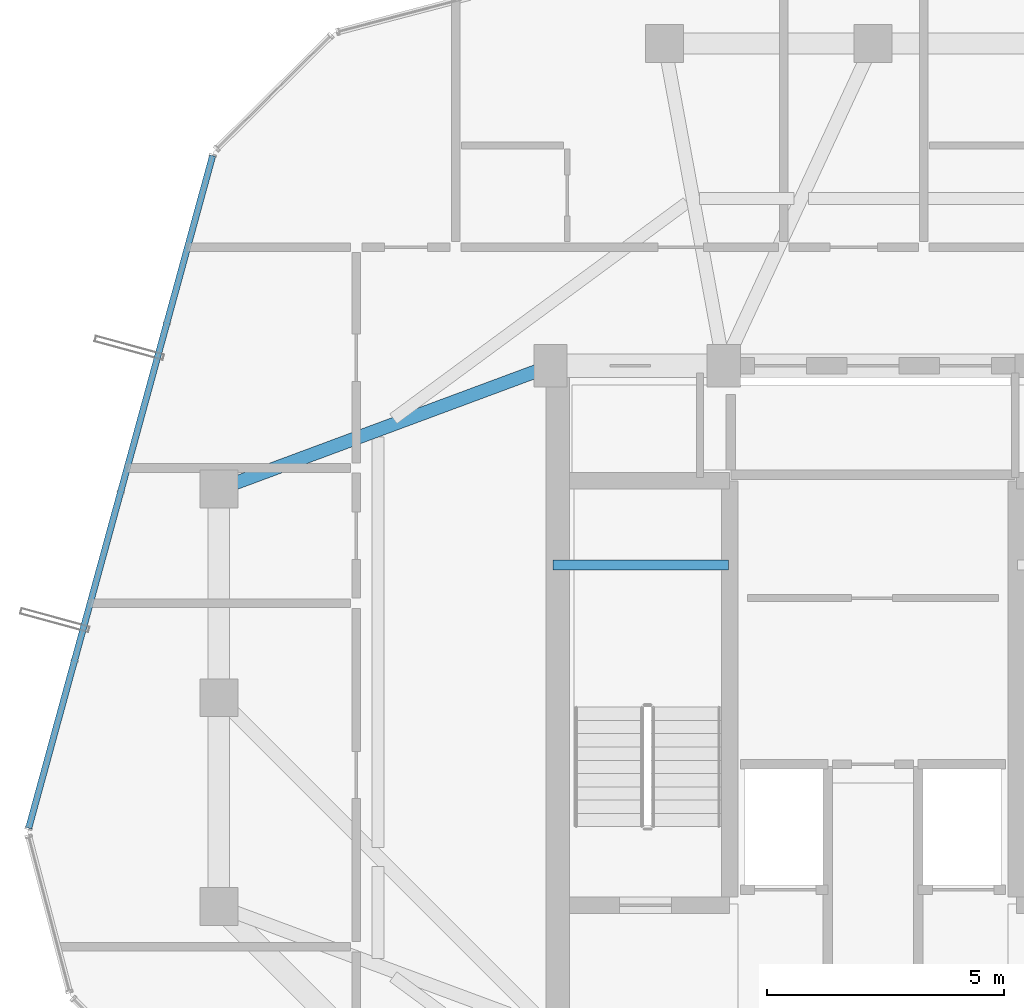
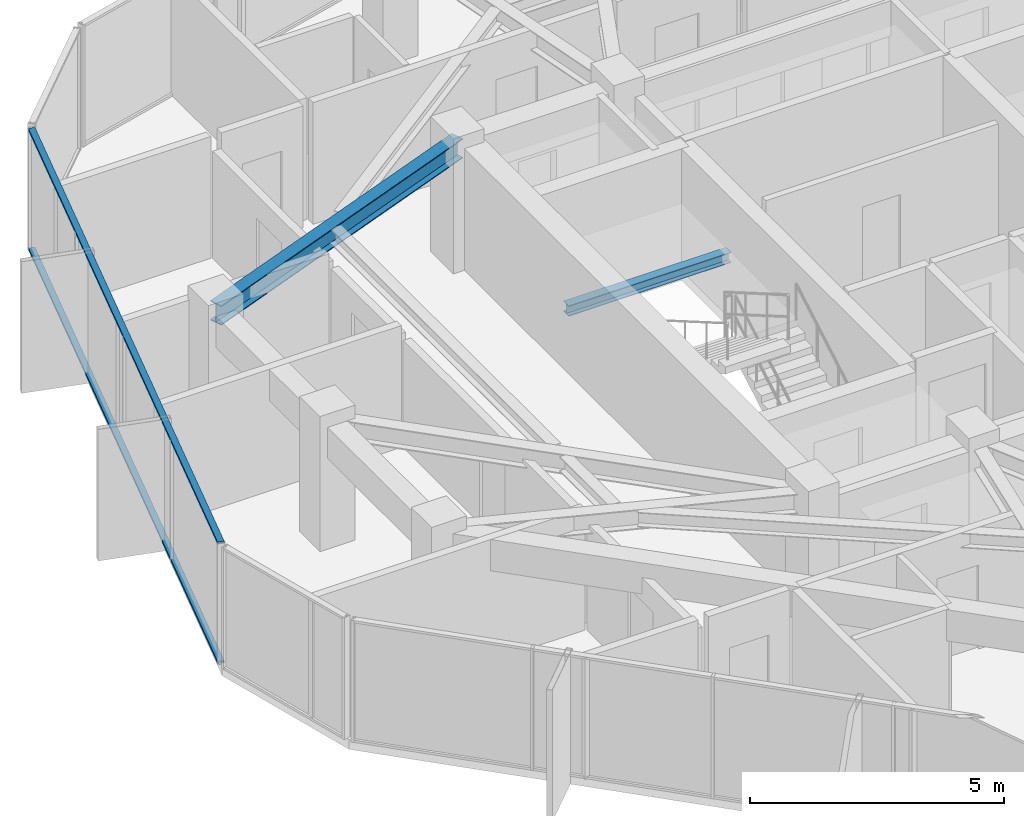
# One storey, part 13 of 29: 2 beams, 2 members, 1 element without a shape of its own.
"""IFC4 building model written with IfcOpenShell, lengths in metres."""

import ifcopenshell
import ifcopenshell.guid

model = None  # the IFC model being written
_history = None  # IfcOwnerHistory: only IFC2X3 demands one
_inside = {}  # id of a spatial element -> (the spatial element, [elements in it])
_under = {}  # id of a project, library or spatial element -> (it, [spatial elements below it])
_declared = {}  # id of a project -> (the project, [libraries it declares])
_typed = {}  # id of a type object -> (the type object, [elements of that type])
_made_of = {}  # id of a material, layer set ... -> (it, [elements and type objects made of it])


def new_model(schema):
    """Start an empty IFC model of exactly this schema.

    Asked for "IFC4X3", IfcOpenShell would pick the latest addendum, in which some entities
    have other attributes; the version numbers below select the first issue.
    IFC2X3 requires an IfcOwnerHistory on every rooted entity: one is made here for all.
    """
    global model, _history
    if schema == "IFC4X3":
        model = ifcopenshell.file(schema_version=(4, 3, 0, 0))
    else:
        model = ifcopenshell.file(schema=schema)
    _inside.clear()
    _under.clear()
    _declared.clear()
    _typed.clear()
    _made_of.clear()
    _history = None
    if model.schema == "IFC2X3":
        org = make("IfcOrganization", Name="unknown")
        user = make(
            "IfcPersonAndOrganization",
            ThePerson=make("IfcPerson", FamilyName="unknown"),
            TheOrganization=org,
        )
        app = make(
            "IfcApplication",
            ApplicationDeveloper=org,
            Version="unknown",
            ApplicationFullName="unknown",
            ApplicationIdentifier="unknown",
        )
        _history = make(
            "IfcOwnerHistory",
            OwningUser=user,
            OwningApplication=app,
            ChangeAction="ADDED",
            CreationDate=0,
        )
    return model


def make(cls, **values):
    """One entity of the class cls with the attributes given. An attribute that is None is left unset."""
    return model.create_entity(
        cls, **{name: value for name, value in values.items() if value is not None}
    )


def rooted(cls, **values):
    """An entity with a GlobalId (a new one), such as an element, a storey or a relation."""
    return make(cls, GlobalId=ifcopenshell.guid.new(), OwnerHistory=_history, **values)


def si_unit(unit_type, name, prefix=None):
    """IfcSIUnit, for example si_unit("LENGTHUNIT", "METRE", prefix="MILLI")."""
    return make("IfcSIUnit", UnitType=unit_type, Prefix=prefix, Name=name)


def assignment(units):
    """IfcUnitAssignment: the units of a project."""
    return None if units is None else make("IfcUnitAssignment", Units=units)


def point(xyz):
    """IfcCartesianPoint."""
    return None if xyz is None else make("IfcCartesianPoint", Coordinates=xyz)


def direction(xyz):
    """IfcDirection."""
    return None if xyz is None else make("IfcDirection", DirectionRatios=xyz)


def frame(location, z_axis=None, x_axis=None):
    """IfcAxis2Placement3D, a coordinate frame: its origin and axes. An axis left out is left unset."""
    return make(
        "IfcAxis2Placement3D",
        Location=point(location),
        Axis=direction(z_axis),
        RefDirection=direction(x_axis),
    )


def frame_2d(location, x_axis=None):
    """IfcAxis2Placement2D, a coordinate frame in the plane: its origin and x axis."""
    return make(
        "IfcAxis2Placement2D", Location=point(location), RefDirection=direction(x_axis)
    )


def origin():
    """The frame at (0, 0, 0) with its axes left unset."""
    return frame((0.0, 0.0, 0.0))


def origin_2d():
    """The frame at (0, 0) in the plane with its x axis left unset."""
    return frame_2d((0.0, 0.0))


def place(relative_to, where):
    """IfcLocalPlacement: puts the frame where relative to a parent placement (None: the world)."""
    return make(
        "IfcLocalPlacement", PlacementRelTo=relative_to, RelativePlacement=where
    )


def context(
    kind, dimensions, precision=None, world=None, true_north=None, identifier=None
):
    """IfcGeometricRepresentationContext, for example the 3D "Model" context."""
    return make(
        "IfcGeometricRepresentationContext",
        ContextIdentifier=identifier,
        ContextType=kind,
        CoordinateSpaceDimension=dimensions,
        Precision=precision,
        WorldCoordinateSystem=world,
        TrueNorth=true_north,
    )


def subcontext(parent, identifier, kind, view, scale=None):
    """IfcGeometricRepresentationSubContext, for example "Body" below "Model"."""
    return make(
        "IfcGeometricRepresentationSubContext",
        ContextIdentifier=identifier,
        ContextType=kind,
        ParentContext=parent,
        TargetScale=scale,
        TargetView=view,
    )


def project(units=None, contexts=None):
    """IfcProject with its units and contexts."""
    return rooted(
        "IfcProject",
        Name="project",
        RepresentationContexts=contexts,
        UnitsInContext=assignment(units),
    )


def spatial(cls, under=None, at=None, **own):
    """A site, building, storey or space (cls), placed at a placement, below another one or the project."""
    s = rooted(cls, ObjectPlacement=at, **own)
    if under is not None:
        _under.setdefault(under.id(), (under, []))[1].append(s)
    return s


def profile(cls, at=None, kind="AREA", **sizes):
    """A parametric profile (cls). Its sizes go by their IFC names, for example OverallWidth=200.0."""
    return make(cls, ProfileType=kind, Position=at, **sizes)


def hollow_rectangle(**sizes):
    """IfcRectangleHollowProfileDef."""
    return profile("IfcRectangleHollowProfileDef", **sizes)


def i_section(**sizes):
    """IfcIShapeProfileDef."""
    return profile("IfcIShapeProfileDef", **sizes)


def extrude(swept, where, along, depth):
    """IfcExtrudedAreaSolid: the profile swept, set in the frame where, extruded along a direction by depth."""
    return make(
        "IfcExtrudedAreaSolid",
        SweptArea=swept,
        Position=where,
        ExtrudedDirection=direction(along),
        Depth=depth,
    )


def shape(context_of_items, identifier, shape_type, items):
    """IfcShapeRepresentation: the items that make up one representation, for example the "Body"."""
    return make(
        "IfcShapeRepresentation",
        ContextOfItems=context_of_items,
        RepresentationIdentifier=identifier,
        RepresentationType=shape_type,
        Items=items,
    )


def source(mapping_origin, context_of_items, identifier, shape_type, items):
    """IfcRepresentationMap: a shape defined once, which mapped items show again and again."""
    return make(
        "IfcRepresentationMap",
        MappingOrigin=mapping_origin,
        MappedRepresentation=shape(context_of_items, identifier, shape_type, items),
    )


def transform(
    local_origin,
    x_axis=None,
    y_axis=None,
    z_axis=None,
    scale=None,
    scale2=None,
    scale3=None,
    uniform=True,
):
    """IfcCartesianTransformationOperator3D, or its non-uniform kind. x_axis, y_axis, z_axis: its Axis1, 2, 3."""
    if uniform:
        return make(
            "IfcCartesianTransformationOperator3D",
            Axis1=direction(x_axis),
            Axis2=direction(y_axis),
            LocalOrigin=point(local_origin),
            Scale=scale,
            Axis3=direction(z_axis),
        )
    return make(
        "IfcCartesianTransformationOperator3DnonUniform",
        Axis1=direction(x_axis),
        Axis2=direction(y_axis),
        LocalOrigin=point(local_origin),
        Scale=scale,
        Axis3=direction(z_axis),
        Scale2=scale2,
        Scale3=scale3,
    )


def mapped(mapping_source, mapping_target):
    """IfcMappedItem: shows the shape of a source again, moved by a transform."""
    return make(
        "IfcMappedItem", MappingSource=mapping_source, MappingTarget=mapping_target
    )


def material(Name=None, Category=None):
    """IfcMaterial."""
    return make("IfcMaterial", Name=Name, Category=Category)


def layer(
    of_material, thickness, ventilated=None, Name=None, Category=None, Priority=None
):
    """IfcMaterialLayer: one layer of a wall or slab, of a material (None: an air gap)."""
    return make(
        "IfcMaterialLayer",
        Material=of_material,
        LayerThickness=thickness,
        IsVentilated=ventilated,
        Name=Name,
        Category=Category,
        Priority=Priority,
    )


def layer_set(layers, Name=None):
    """IfcMaterialLayerSet."""
    return make("IfcMaterialLayerSet", MaterialLayers=layers, LayerSetName=Name)


def material_profile(
    of_material, cross_section, Name=None, Category=None, Priority=None
):
    """IfcMaterialProfile: a cross section and its material."""
    return make(
        "IfcMaterialProfile",
        Name=Name,
        Material=of_material,
        Profile=cross_section,
        Priority=Priority,
        Category=Category,
    )


def profile_set(profiles, Name=None, composite=None):
    """IfcMaterialProfileSet."""
    return make(
        "IfcMaterialProfileSet",
        Name=Name,
        MaterialProfiles=profiles,
        CompositeProfile=composite,
    )


def made_of(thing, what):
    """Note that an element or type object is made of a material, layer set ...; save() writes the relation."""
    if what is not None:
        _made_of.setdefault(what.id(), (what, []))[1].append(thing)
    return thing


def type_object(cls, material=None, **own):
    """A type object (cls), such as IfcWallType, which elements share."""
    return made_of(rooted(cls, **own), material)


def element(
    cls,
    number,
    at=None,
    inside=None,
    cuts=None,
    type_object=None,
    material=None,
    context=None,
    identifier="Body",
    shape_type=None,
    held_by="IfcProductDefinitionShape",
    body=None,
    shapes=None,
    **own,
):
    """One element of the class cls, such as IfcWall. Its Tag is "e" and its number.

    at: its placement. inside: the storey or other place that contains it. cuts: it is an
    opening in that element (IfcRelVoidsElement). A single representation is given by context,
    identifier, shape_type and body (its items); several are given by shapes. held_by: the class
    of the entity that holds the representations. save() writes the other relations.
    """
    e = rooted(cls, Tag="e%d" % number, ObjectPlacement=at, **own)
    if body is not None:
        shapes = [shape(context, identifier, shape_type, body)]
    if shapes is not None:
        e.Representation = make(held_by, Representations=shapes)
    if inside is not None:
        _inside.setdefault(inside.id(), (inside, []))[1].append(e)
    if cuts is not None:
        rooted(
            "IfcRelVoidsElement", RelatingBuildingElement=cuts, RelatedOpeningElement=e
        )
    if type_object is not None:
        _typed.setdefault(type_object.id(), (type_object, []))[1].append(e)
    return made_of(e, material)


def aggregate(whole, parts):
    """IfcRelAggregates: a whole, such as a stair, and the parts it consists of."""
    return rooted("IfcRelAggregates", RelatingObject=whole, RelatedObjects=parts)


def save(model, path):
    """Write the relations noted so far, then the file.

    IfcRelAggregates (storeys below a building ...), IfcRelContainedInSpatialStructure (elements
    in a storey), IfcRelDefinesByType, IfcRelAssociatesMaterial and IfcRelDeclares: one each for
    every whole, place, type object, material and project.
    """
    for whole, parts in _under.values():
        aggregate(whole, parts)
    for where, things in _inside.values():
        rooted(
            "IfcRelContainedInSpatialStructure",
            RelatedElements=things,
            RelatingStructure=where,
        )
    for kind, things in _typed.values():
        rooted("IfcRelDefinesByType", RelatedObjects=things, RelatingType=kind)
    for what, things in _made_of.values():
        rooted("IfcRelAssociatesMaterial", RelatedObjects=things, RelatingMaterial=what)
    for by, libraries in _declared.values():
        rooted("IfcRelDeclares", RelatingContext=by, RelatedDefinitions=libraries)
    model.write(path)


model = new_model("IFC4")

# Units and contexts
model_context = context("Model", 3, precision=1e-05, world=origin(), true_north=direction((0.0, 1.0)))
body_context = subcontext(model_context, "Body", "Model", "MODEL_VIEW")
ifc_project = project(units=[si_unit("LENGTHUNIT", "METRE"), si_unit("AREAUNIT", "SQUARE_METRE"), si_unit("VOLUMEUNIT", "CUBIC_METRE"), si_unit("PLANEANGLEUNIT", "RADIAN"), si_unit("MASSUNIT", "GRAM", prefix="KILO")], contexts=[model_context])

# Site, building, storey
site_placement = place(None, origin())
site = spatial("IfcSite", under=ifc_project, at=site_placement, CompositionType="ELEMENT")
building_placement = place(site_placement, origin())
building = spatial("IfcBuilding", under=site, at=building_placement, Name="Veraguas Prism Commons", CompositionType="ELEMENT")
storey_placement = place(building_placement, frame((0.0, 0.0, 261.0)))
storey = spatial("IfcBuildingStorey", under=building, at=storey_placement, Name="L74", CompositionType="ELEMENT", Elevation=261.0)

# Beams
ifc_material_1 = material(Name="Steel ASTM A992 Grade 50", Category="steel")
ifc_material_profile_1 = material_profile(ifc_material_1, i_section(OverallWidth=0.202880859375, OverallDepth=0.251953125, WebThickness=0.008056640625, FlangeThickness=0.013427734375, at=origin_2d()), Name="W250X58")
ifc_profile_set_1 = profile_set([ifc_material_profile_1], Name="Steel ASTM A992 Grade 50")
beam_type_1 = type_object("IfcBeamType", Name="Structural Opening Lintel W250x58", PredefinedType="LINTEL", material=ifc_profile_set_1)
beam_1_placement = place(storey_placement, frame((17.25, 26.800048828125, 1.299072265625), z_axis=(1.0, 0.0, 0.0), x_axis=(0.0, 1.0, 0.0)))
element("IfcBeam", 1, at=beam_1_placement, inside=storey, type_object=beam_type_1, Name="Stair ST-01 Half-Landing Support Beam L74-1", PredefinedType="LINTEL", context=body_context, shape_type="SweptSolid", body=[
    extrude(i_section(OverallWidth=0.202880859375, OverallDepth=0.251953125, WebThickness=0.008056640625, FlangeThickness=0.013427734375, at=origin_2d()), origin(), (0.0, 0.0, 1.0), 3.699951171875),
])
ifc_material_profile_2 = material_profile(ifc_material_1, i_section(OverallWidth=0.282958984375, OverallDepth=0.471923828125, WebThickness=0.013671875, FlangeThickness=0.022216796875, at=origin_2d()), Name="W460X144")
ifc_profile_set_2 = profile_set([ifc_material_profile_2], Name="Steel ASTM A992 Grade 50")
beam_type_2 = type_object("IfcBeamType", Name="Zone 4 Radial Girder W460x144", PredefinedType="BEAM", material=ifc_profile_set_2)
beam_2_placement = place(storey_placement, frame((10.199951171875, 28.39990234375, 2.694091796875), z_axis=(0.937421003341, 0.348198021958, 0.0), x_axis=(-0.348198021958, 0.937421003341, 0.0)))
element("IfcBeam", 2, at=beam_2_placement, inside=storey, type_object=beam_type_2, Name="Radial Floor Girder L74-RD07", PredefinedType="BEAM", context=body_context, shape_type="SweptSolid", body=[
    extrude(i_section(OverallWidth=0.282958984375, OverallDepth=0.471923828125, WebThickness=0.013671875, FlangeThickness=0.022216796875, at=origin_2d()), origin(), (0.0, 0.0, 1.0), 7.46728515625),
])

# Curtain wall, members
ifc_material_2 = material(Name="Anodised aluminium EN AW-6063 T6", Category="aluminium")
ifc_layer = layer(ifc_material_2, 0.14990234375, Name="Unitised Flush Curtain Wall Zone 4", Category="aluminium")
ifc_layer_set = layer_set([ifc_layer], Name="Anodised aluminium EN AW-6063 T6")
curtain_wall_type = type_object("IfcCurtainWallType", Name="Unitised Flush Curtain Wall Zone 4", PredefinedType="NOTDEFINED", material=ifc_layer_set)
curtain_wall_placement = place(storey_placement, origin())
curtain_wall = element("IfcCurtainWall", 3, at=curtain_wall_placement, inside=storey, type_object=curtain_wall_type, Name="Tower Facade Curtain Wall L74-F3", PredefinedType="NOTDEFINED")
ifc_material_profile_3 = material_profile(ifc_material_2, hollow_rectangle(XDim=0.054931640625, YDim=0.135009765625, WallThickness=0.0029296875, at=origin_2d()), Name="AL55X135X3")
ifc_profile_set_3 = profile_set([ifc_material_profile_3], Name="Anodised aluminium EN AW-6063 T6")
member_type = type_object("IfcMemberType", Name="Curtain Wall Transom Standard AL 55x135x3", PredefinedType="USERDEFINED", material=ifc_profile_set_3)
shared_shape = source(origin(), body_context, "Body", "SweptSolid", [
    extrude(hollow_rectangle(XDim=0.054931640625, YDim=0.135009765625, WallThickness=0.0029296875, at=origin_2d()), origin(), (0.0, 0.0, 1.0), 14.70654296875),
])
member_1_placement = place(storey_placement, frame((10.069091796875, 35.4345703125, 0.027587890625), z_axis=(-0.263885682141, -0.964553962597, 0.0), x_axis=(0.0, 0.0, 1.0)))
member_1 = element("IfcMember", 4, at=member_1_placement, type_object=member_type, Name="CW-Z4 Transom 1", ObjectType="TRANSOM", PredefinedType="USERDEFINED", context=body_context, shape_type="MappedRepresentation", body=[
    mapped(shared_shape, transform((0.0, 0.0, 0.0), scale=1.0)),
])
member_2_placement = place(storey_placement, frame((10.069091796875, 35.4345703125, 2.902587890625), z_axis=(-0.263885682141, -0.964553962597, 0.0), x_axis=(0.0, 0.0, 1.0)))
member_2 = element("IfcMember", 5, at=member_2_placement, type_object=member_type, Name="CW-Z4 Transom 2", ObjectType="TRANSOM", PredefinedType="USERDEFINED", context=body_context, shape_type="MappedRepresentation", body=[
    mapped(shared_shape, transform((0.0, 0.0, 0.0), scale=1.0)),
])
aggregate(curtain_wall, [member_1, member_2])

save(model, "model.ifc")
